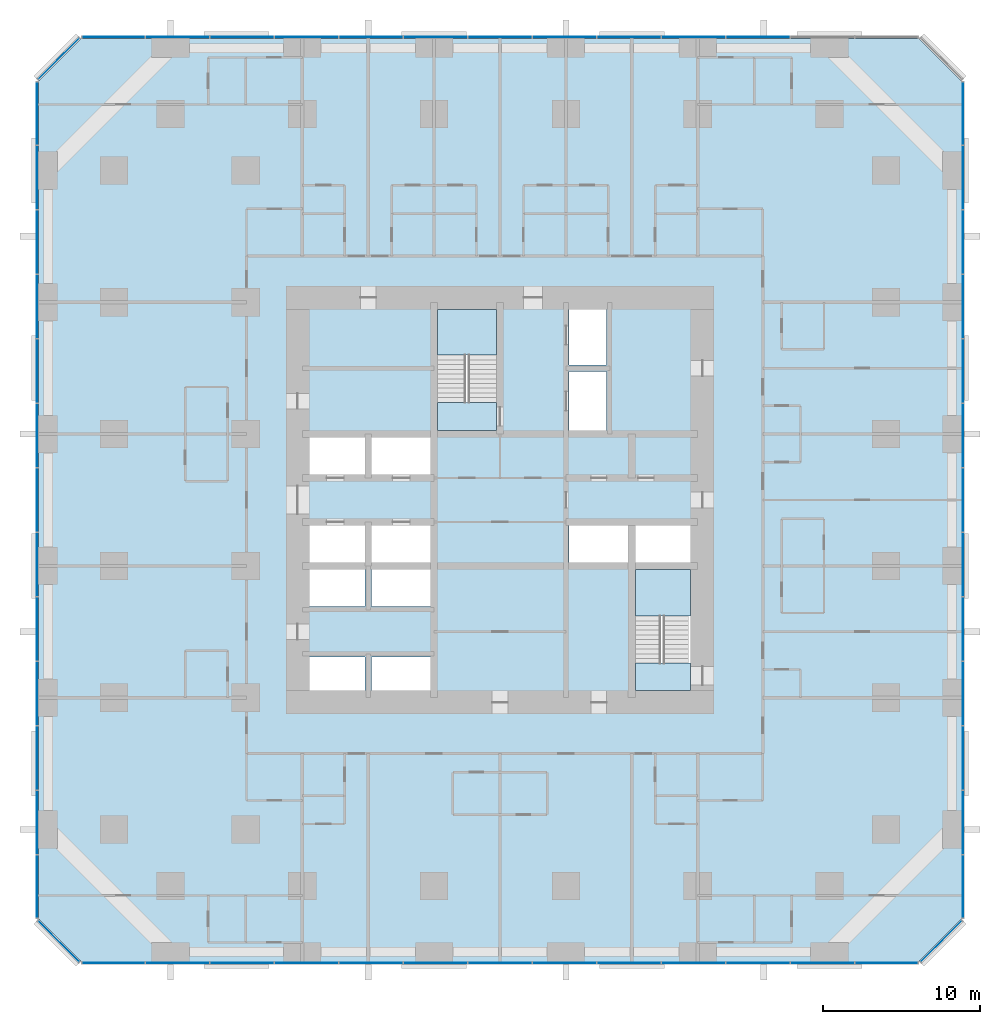
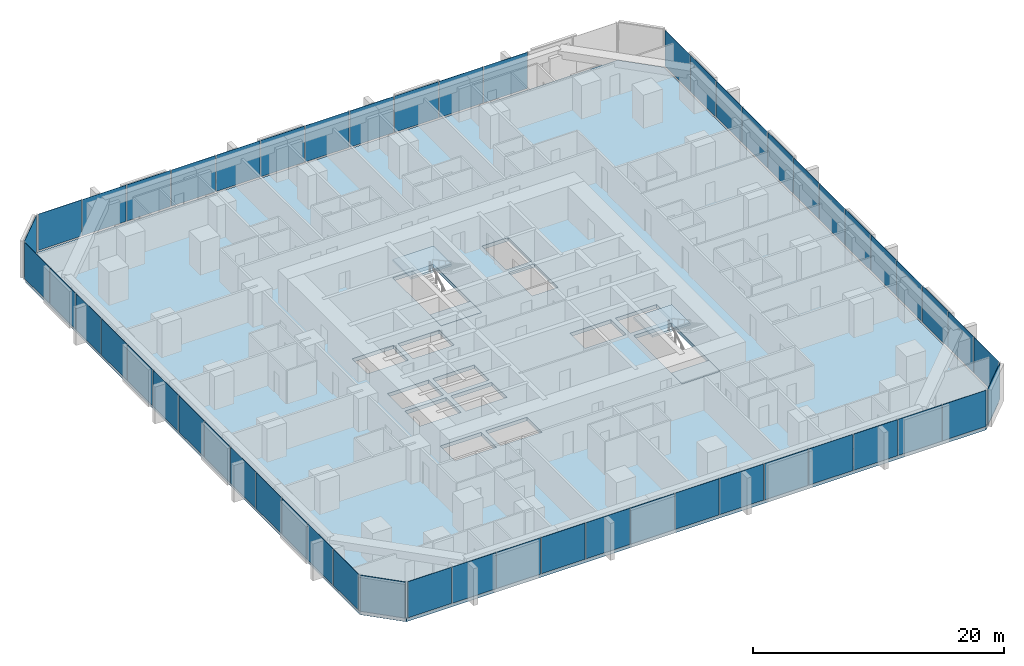
# One storey, part 9 of 17: 53 plates, 5 slabs, 9 elements without a shape of their own.
"""IFC4 building model written with IfcOpenShell, lengths in metres."""

from ifc_helpers import new_model, si_unit, direction, frame, origin, origin_2d, place, context, subcontext, project, spatial, polyline, rectangle, outline, extrude, material, layer, layer_set, type_object, element, aggregate, save


model = new_model("IFC4")

# Units and contexts
model_context = context("Model", 3, precision=1e-05, world=origin(), true_north=direction((0.0, 1.0)))
body_context = subcontext(model_context, "Body", "Model", "MODEL_VIEW")
ifc_project = project(units=[si_unit("LENGTHUNIT", "METRE"), si_unit("AREAUNIT", "SQUARE_METRE"), si_unit("VOLUMEUNIT", "CUBIC_METRE"), si_unit("PLANEANGLEUNIT", "RADIAN"), si_unit("MASSUNIT", "GRAM", prefix="KILO")], contexts=[model_context])

# Site, building, storey
site_placement = place(None, origin())
site = spatial("IfcSite", under=ifc_project, at=site_placement, CompositionType="ELEMENT")
building_placement = place(site_placement, origin())
building = spatial("IfcBuilding", under=site, at=building_placement, Name="Dunama Terrace Hotel", CompositionType="ELEMENT")
storey_placement = place(building_placement, frame((0.0, 0.0, 66.60009765625)))
storey = spatial("IfcBuildingStorey", under=building, at=storey_placement, Name="L16", CompositionType="ELEMENT", Elevation=66.60009765625)

# Curtain wall, plates
ifc_material_1 = material(Name="Aluminium curtain wall system", Category="aluminium")
curtain_wall_type = type_object("IfcCurtainWallType", Name="Unitised fritted glass wall CW-A", PredefinedType="NOTDEFINED", material=ifc_material_1)
curtain_wall_1_placement = place(storey_placement, origin())
curtain_wall_1 = element("IfcCurtainWall", 1, at=curtain_wall_1_placement, inside=storey, type_object=curtain_wall_type, Name="Unitised fritted glass wall CW-A L16", PredefinedType="NOTDEFINED")
ifc_material_2 = material(Name="Laminated glass", Category="glass")
ifc_layer_1 = layer(ifc_material_2, 0.030029296875)
ifc_layer_set_1 = layer_set([ifc_layer_1], Name="CWA clear glass panel")
plate_type_1 = type_object("IfcPlateType", Name="CWA clear glass panel", PredefinedType="CURTAIN_PANEL", material=ifc_layer_set_1)
plate_1_placement = place(storey_placement, frame((4.77001953125, -0.10009765625, 0.074951171875), z_axis=(0.0, 0.0, 1.0), x_axis=(1.0, 0.0, 0.0)))
plate_1 = element("IfcPlate", 2, at=plate_1_placement, type_object=plate_type_1, Name="CWA clear glass panel", PredefinedType="CURTAIN_PANEL", context=body_context, shape_type="SweptSolid", body=[
    extrude(rectangle(XDim=4.01025390625, YDim=0.030029296875, at=origin_2d()), origin(), (0.0, 0.0, 1.0), 3.52490234375),
])
plate_2_placement = place(storey_placement, frame((17.076904296875, -0.10009765625, 0.074951171875), z_axis=(0.0, 0.0, 1.0), x_axis=(1.0, 0.0, 0.0)))
plate_2 = element("IfcPlate", 3, at=plate_2_placement, type_object=plate_type_1, Name="CWA clear glass panel", PredefinedType="CURTAIN_PANEL", context=body_context, shape_type="SweptSolid", body=[
    extrude(rectangle(XDim=4.042724609375, YDim=0.030029296875, at=origin_2d()), origin(), (0.0, 0.0, 1.0), 3.52490234375),
])
plate_3_placement = place(storey_placement, frame((29.39990234375, -0.10009765625, 0.074951171875), z_axis=(0.0, 0.0, 1.0), x_axis=(1.0, 0.0, 0.0)))
plate_3 = element("IfcPlate", 4, at=plate_3_placement, type_object=plate_type_1, Name="CWA clear glass panel", PredefinedType="CURTAIN_PANEL", context=body_context, shape_type="SweptSolid", body=[
    extrude(rectangle(XDim=4.042724609375, YDim=0.030029296875, at=origin_2d()), origin(), (0.0, 0.0, 1.0), 3.52490234375),
])
plate_4_placement = place(storey_placement, frame((41.722900390625, -0.10009765625, 0.074951171875), z_axis=(0.0, 0.0, 1.0), x_axis=(1.0, 0.0, 0.0)))
plate_4 = element("IfcPlate", 5, at=plate_4_placement, type_object=plate_type_1, Name="CWA clear glass panel", PredefinedType="CURTAIN_PANEL", context=body_context, shape_type="SweptSolid", body=[
    extrude(rectangle(XDim=4.042724609375, YDim=0.030029296875, at=origin_2d()), origin(), (0.0, 0.0, 1.0), 3.52490234375),
])
plate_5_placement = place(storey_placement, frame((54.030029296875, -0.10009765625, 0.074951171875), z_axis=(0.0, 0.0, 1.0), x_axis=(1.0, 0.0, 0.0)))
plate_5 = element("IfcPlate", 6, at=plate_5_placement, type_object=plate_type_1, Name="CWA clear glass panel", PredefinedType="CURTAIN_PANEL", context=body_context, shape_type="SweptSolid", body=[
    extrude(rectangle(XDim=4.01025390625, YDim=0.030029296875, at=origin_2d()), origin(), (0.0, 0.0, 1.0), 3.52490234375),
])

curtain_wall_2_placement = place(storey_placement, origin())
curtain_wall_2 = element("IfcCurtainWall", 7, at=curtain_wall_2_placement, inside=storey, type_object=curtain_wall_type, Name="Unitised fritted glass wall CW-A L16", PredefinedType="NOTDEFINED")
plate_6_placement = place(storey_placement, frame((58.89990234375, 8.862060546875, 0.074951171875), z_axis=(0.0, 0.0, 1.0), x_axis=(0.0, 1.0, 0.0)))
plate_6 = element("IfcPlate", 8, at=plate_6_placement, type_object=plate_type_1, Name="CWA clear glass panel", PredefinedType="CURTAIN_PANEL", context=body_context, shape_type="SweptSolid", body=[
    extrude(rectangle(XDim=4.042724609375, YDim=0.030029296875, at=origin_2d()), origin(), (0.0, 0.0, 1.0), 3.52490234375),
])
plate_7_placement = place(storey_placement, frame((58.89990234375, 21.18505859375, 0.074951171875), z_axis=(0.0, 0.0, 1.0), x_axis=(0.0, 1.0, 0.0)))
plate_7 = element("IfcPlate", 9, at=plate_7_placement, type_object=plate_type_1, Name="CWA clear glass panel", PredefinedType="CURTAIN_PANEL", context=body_context, shape_type="SweptSolid", body=[
    extrude(rectangle(XDim=4.042724609375, YDim=0.030029296875, at=origin_2d()), origin(), (0.0, 0.0, 1.0), 3.52490234375),
])
plate_8_placement = place(storey_placement, frame((58.89990234375, 33.508056640625, 0.074951171875), z_axis=(0.0, 0.0, 1.0), x_axis=(0.0, 1.0, 0.0)))
plate_8 = element("IfcPlate", 10, at=plate_8_placement, type_object=plate_type_1, Name="CWA clear glass panel", PredefinedType="CURTAIN_PANEL", context=body_context, shape_type="SweptSolid", body=[
    extrude(rectangle(XDim=4.042724609375, YDim=0.030029296875, at=origin_2d()), origin(), (0.0, 0.0, 1.0), 3.52490234375),
])
plate_9_placement = place(storey_placement, frame((58.89990234375, 45.8310546875, 0.074951171875), z_axis=(0.0, 0.0, 1.0), x_axis=(0.0, 1.0, 0.0)))
plate_9 = element("IfcPlate", 11, at=plate_9_placement, type_object=plate_type_1, Name="CWA clear glass panel", PredefinedType="CURTAIN_PANEL", context=body_context, shape_type="SweptSolid", body=[
    extrude(rectangle(XDim=4.042724609375, YDim=0.030029296875, at=origin_2d()), origin(), (0.0, 0.0, 1.0), 3.52490234375),
])

curtain_wall_3_placement = place(storey_placement, origin())
curtain_wall_3 = element("IfcCurtainWall", 12, at=curtain_wall_3_placement, inside=storey, type_object=curtain_wall_type, Name="Unitised fritted glass wall CW-A L16", PredefinedType="NOTDEFINED")
plate_10_placement = place(storey_placement, frame((45.8310546875, 58.89990234375, 0.074951171875), z_axis=(0.0, 0.0, 1.0), x_axis=(-1.0, 0.0, 0.0)))
plate_10 = element("IfcPlate", 13, at=plate_10_placement, type_object=plate_type_1, Name="CWA clear glass panel", PredefinedType="CURTAIN_PANEL", context=body_context, shape_type="SweptSolid", body=[
    extrude(rectangle(XDim=4.042724609375, YDim=0.030029296875, at=origin_2d()), origin(), (0.0, 0.0, 1.0), 3.52490234375),
])
plate_11_placement = place(storey_placement, frame((33.508056640625, 58.89990234375, 0.074951171875), z_axis=(0.0, 0.0, 1.0), x_axis=(-1.0, 0.0, 0.0)))
plate_11 = element("IfcPlate", 14, at=plate_11_placement, type_object=plate_type_1, Name="CWA clear glass panel", PredefinedType="CURTAIN_PANEL", context=body_context, shape_type="SweptSolid", body=[
    extrude(rectangle(XDim=4.042724609375, YDim=0.030029296875, at=origin_2d()), origin(), (0.0, 0.0, 1.0), 3.52490234375),
])
plate_12_placement = place(storey_placement, frame((21.18505859375, 58.89990234375, 0.074951171875), z_axis=(0.0, 0.0, 1.0), x_axis=(-1.0, 0.0, 0.0)))
plate_12 = element("IfcPlate", 15, at=plate_12_placement, type_object=plate_type_1, Name="CWA clear glass panel", PredefinedType="CURTAIN_PANEL", context=body_context, shape_type="SweptSolid", body=[
    extrude(rectangle(XDim=4.042724609375, YDim=0.030029296875, at=origin_2d()), origin(), (0.0, 0.0, 1.0), 3.52490234375),
])
plate_13_placement = place(storey_placement, frame((8.862060546875, 58.89990234375, 0.074951171875), z_axis=(0.0, 0.0, 1.0), x_axis=(-1.0, 0.0, 0.0)))
plate_13 = element("IfcPlate", 16, at=plate_13_placement, type_object=plate_type_1, Name="CWA clear glass panel", PredefinedType="CURTAIN_PANEL", context=body_context, shape_type="SweptSolid", body=[
    extrude(rectangle(XDim=4.042724609375, YDim=0.030029296875, at=origin_2d()), origin(), (0.0, 0.0, 1.0), 3.52490234375),
])

curtain_wall_4_placement = place(storey_placement, origin())
curtain_wall_4 = element("IfcCurtainWall", 17, at=curtain_wall_4_placement, inside=storey, type_object=curtain_wall_type, Name="Unitised fritted glass wall CW-A L16", PredefinedType="NOTDEFINED")
plate_14_placement = place(storey_placement, frame((-0.10009765625, 54.030029296875, 0.074951171875), z_axis=(0.0, 0.0, 1.0), x_axis=(0.0, -1.0, 0.0)))
plate_14 = element("IfcPlate", 18, at=plate_14_placement, type_object=plate_type_1, Name="CWA clear glass panel", PredefinedType="CURTAIN_PANEL", context=body_context, shape_type="SweptSolid", body=[
    extrude(rectangle(XDim=4.01025390625, YDim=0.030029296875, at=origin_2d()), origin(), (0.0, 0.0, 1.0), 3.52490234375),
])
plate_15_placement = place(storey_placement, frame((-0.10009765625, 41.722900390625, 0.074951171875), z_axis=(0.0, 0.0, 1.0), x_axis=(0.0, -1.0, 0.0)))
plate_15 = element("IfcPlate", 19, at=plate_15_placement, type_object=plate_type_1, Name="CWA clear glass panel", PredefinedType="CURTAIN_PANEL", context=body_context, shape_type="SweptSolid", body=[
    extrude(rectangle(XDim=4.042724609375, YDim=0.030029296875, at=origin_2d()), origin(), (0.0, 0.0, 1.0), 3.52490234375),
])
plate_16_placement = place(storey_placement, frame((-0.10009765625, 29.39990234375, 0.074951171875), z_axis=(0.0, 0.0, 1.0), x_axis=(0.0, -1.0, 0.0)))
plate_16 = element("IfcPlate", 20, at=plate_16_placement, type_object=plate_type_1, Name="CWA clear glass panel", PredefinedType="CURTAIN_PANEL", context=body_context, shape_type="SweptSolid", body=[
    extrude(rectangle(XDim=4.042724609375, YDim=0.030029296875, at=origin_2d()), origin(), (0.0, 0.0, 1.0), 3.52490234375),
])
plate_17_placement = place(storey_placement, frame((-0.10009765625, 17.076904296875, 0.074951171875), z_axis=(0.0, 0.0, 1.0), x_axis=(0.0, -1.0, 0.0)))
plate_17 = element("IfcPlate", 21, at=plate_17_placement, type_object=plate_type_1, Name="CWA clear glass panel", PredefinedType="CURTAIN_PANEL", context=body_context, shape_type="SweptSolid", body=[
    extrude(rectangle(XDim=4.042724609375, YDim=0.030029296875, at=origin_2d()), origin(), (0.0, 0.0, 1.0), 3.52490234375),
])
plate_18_placement = place(storey_placement, frame((-0.10009765625, 4.77001953125, 0.074951171875), z_axis=(0.0, 0.0, 1.0), x_axis=(0.0, -1.0, 0.0)))
plate_18 = element("IfcPlate", 22, at=plate_18_placement, type_object=plate_type_1, Name="CWA clear glass panel", PredefinedType="CURTAIN_PANEL", context=body_context, shape_type="SweptSolid", body=[
    extrude(rectangle(XDim=4.01025390625, YDim=0.030029296875, at=origin_2d()), origin(), (0.0, 0.0, 1.0), 3.52490234375),
])

# Plate
ifc_material_3 = material(Name="Fritted laminated glass", Category="glass")
ifc_layer_2 = layer(ifc_material_3, 0.030029296875)
ifc_layer_set_2 = layer_set([ifc_layer_2], Name="CWA fritted glass panel")
plate_type_2 = type_object("IfcPlateType", Name="CWA fritted glass panel", PredefinedType="CURTAIN_PANEL", material=ifc_layer_set_2)
plate_19_placement = place(storey_placement, frame((12.968994140625, -0.10009765625, 0.074951171875), z_axis=(0.0, 0.0, 1.0), x_axis=(1.0, 0.0, 0.0)))
plate_19 = element("IfcPlate", 23, at=plate_19_placement, type_object=plate_type_2, Name="CWA fritted glass panel", PredefinedType="CURTAIN_PANEL", context=body_context, shape_type="SweptSolid", body=[
    extrude(rectangle(XDim=4.042724609375, YDim=0.030029296875, at=origin_2d()), origin(), (0.0, 0.0, 1.0), 3.52490234375),
])

plate_20_placement = place(storey_placement, frame((25.2919921875, -0.10009765625, 0.074951171875), z_axis=(0.0, 0.0, 1.0), x_axis=(1.0, 0.0, 0.0)))
plate_20 = element("IfcPlate", 24, at=plate_20_placement, type_object=plate_type_2, Name="CWA fritted glass panel", PredefinedType="CURTAIN_PANEL", context=body_context, shape_type="SweptSolid", body=[
    extrude(rectangle(XDim=4.042724609375, YDim=0.030029296875, at=origin_2d()), origin(), (0.0, 0.0, 1.0), 3.52490234375),
])

plate_21_placement = place(storey_placement, frame((37.614990234375, -0.10009765625, 0.074951171875), z_axis=(0.0, 0.0, 1.0), x_axis=(1.0, 0.0, 0.0)))
plate_21 = element("IfcPlate", 25, at=plate_21_placement, type_object=plate_type_2, Name="CWA fritted glass panel", PredefinedType="CURTAIN_PANEL", context=body_context, shape_type="SweptSolid", body=[
    extrude(rectangle(XDim=4.042724609375, YDim=0.030029296875, at=origin_2d()), origin(), (0.0, 0.0, 1.0), 3.52490234375),
])

plate_22_placement = place(storey_placement, frame((49.93798828125, -0.10009765625, 0.074951171875), z_axis=(0.0, 0.0, 1.0), x_axis=(1.0, 0.0, 0.0)))
plate_22 = element("IfcPlate", 26, at=plate_22_placement, type_object=plate_type_2, Name="CWA fritted glass panel", PredefinedType="CURTAIN_PANEL", context=body_context, shape_type="SweptSolid", body=[
    extrude(rectangle(XDim=4.042724609375, YDim=0.030029296875, at=origin_2d()), origin(), (0.0, 0.0, 1.0), 3.52490234375),
])

plate_23_placement = place(storey_placement, frame((58.89990234375, 4.77001953125, 0.074951171875), z_axis=(0.0, 0.0, 1.0), x_axis=(0.0, 1.0, 0.0)))
plate_23 = element("IfcPlate", 27, at=plate_23_placement, type_object=plate_type_2, Name="CWA fritted glass panel", PredefinedType="CURTAIN_PANEL", context=body_context, shape_type="SweptSolid", body=[
    extrude(rectangle(XDim=4.01025390625, YDim=0.030029296875, at=origin_2d()), origin(), (0.0, 0.0, 1.0), 3.52490234375),
])

plate_24_placement = place(storey_placement, frame((58.89990234375, 17.076904296875, 0.074951171875), z_axis=(0.0, 0.0, 1.0), x_axis=(0.0, 1.0, 0.0)))
plate_24 = element("IfcPlate", 28, at=plate_24_placement, type_object=plate_type_2, Name="CWA fritted glass panel", PredefinedType="CURTAIN_PANEL", context=body_context, shape_type="SweptSolid", body=[
    extrude(rectangle(XDim=4.042724609375, YDim=0.030029296875, at=origin_2d()), origin(), (0.0, 0.0, 1.0), 3.52490234375),
])

plate_25_placement = place(storey_placement, frame((58.89990234375, 29.39990234375, 0.074951171875), z_axis=(0.0, 0.0, 1.0), x_axis=(0.0, 1.0, 0.0)))
plate_25 = element("IfcPlate", 29, at=plate_25_placement, type_object=plate_type_2, Name="CWA fritted glass panel", PredefinedType="CURTAIN_PANEL", context=body_context, shape_type="SweptSolid", body=[
    extrude(rectangle(XDim=4.042724609375, YDim=0.030029296875, at=origin_2d()), origin(), (0.0, 0.0, 1.0), 3.52490234375),
])

plate_26_placement = place(storey_placement, frame((58.89990234375, 41.722900390625, 0.074951171875), z_axis=(0.0, 0.0, 1.0), x_axis=(0.0, 1.0, 0.0)))
plate_26 = element("IfcPlate", 30, at=plate_26_placement, type_object=plate_type_2, Name="CWA fritted glass panel", PredefinedType="CURTAIN_PANEL", context=body_context, shape_type="SweptSolid", body=[
    extrude(rectangle(XDim=4.042724609375, YDim=0.030029296875, at=origin_2d()), origin(), (0.0, 0.0, 1.0), 3.52490234375),
])

plate_27_placement = place(storey_placement, frame((58.89990234375, 54.030029296875, 0.074951171875), z_axis=(0.0, 0.0, 1.0), x_axis=(0.0, 1.0, 0.0)))
plate_27 = element("IfcPlate", 31, at=plate_27_placement, type_object=plate_type_2, Name="CWA fritted glass panel", PredefinedType="CURTAIN_PANEL", context=body_context, shape_type="SweptSolid", body=[
    extrude(rectangle(XDim=4.01025390625, YDim=0.030029296875, at=origin_2d()), origin(), (0.0, 0.0, 1.0), 3.52490234375),
])

plate_28_placement = place(storey_placement, frame((37.614990234375, 58.89990234375, 0.074951171875), z_axis=(0.0, 0.0, 1.0), x_axis=(-1.0, 0.0, 0.0)))
plate_28 = element("IfcPlate", 32, at=plate_28_placement, type_object=plate_type_2, Name="CWA fritted glass panel", PredefinedType="CURTAIN_PANEL", context=body_context, shape_type="SweptSolid", body=[
    extrude(rectangle(XDim=4.042724609375, YDim=0.030029296875, at=origin_2d()), origin(), (0.0, 0.0, 1.0), 3.52490234375),
])

plate_29_placement = place(storey_placement, frame((25.2919921875, 58.89990234375, 0.074951171875), z_axis=(0.0, 0.0, 1.0), x_axis=(-1.0, 0.0, 0.0)))
plate_29 = element("IfcPlate", 33, at=plate_29_placement, type_object=plate_type_2, Name="CWA fritted glass panel", PredefinedType="CURTAIN_PANEL", context=body_context, shape_type="SweptSolid", body=[
    extrude(rectangle(XDim=4.042724609375, YDim=0.030029296875, at=origin_2d()), origin(), (0.0, 0.0, 1.0), 3.52490234375),
])

plate_30_placement = place(storey_placement, frame((12.968994140625, 58.89990234375, 0.074951171875), z_axis=(0.0, 0.0, 1.0), x_axis=(-1.0, 0.0, 0.0)))
plate_30 = element("IfcPlate", 34, at=plate_30_placement, type_object=plate_type_2, Name="CWA fritted glass panel", PredefinedType="CURTAIN_PANEL", context=body_context, shape_type="SweptSolid", body=[
    extrude(rectangle(XDim=4.042724609375, YDim=0.030029296875, at=origin_2d()), origin(), (0.0, 0.0, 1.0), 3.52490234375),
])

# Curtain wall, plate
curtain_wall_5_placement = place(storey_placement, origin())
curtain_wall_5 = element("IfcCurtainWall", 35, at=curtain_wall_5_placement, inside=storey, type_object=curtain_wall_type, Name="Unitised fritted glass wall CW-A L16", PredefinedType="NOTDEFINED")
plate_31_placement = place(storey_placement, frame((1.279052734375, 57.52099609375, 0.074951171875), z_axis=(0.0, 0.0, 1.0), x_axis=(-0.707106781187, -0.707106781187, 0.0)))
plate_31 = element("IfcPlate", 36, at=plate_31_placement, type_object=plate_type_2, Name="CWA fritted glass panel", PredefinedType="CURTAIN_PANEL", context=body_context, shape_type="SweptSolid", body=[
    extrude(rectangle(XDim=3.6884765625, YDim=0.030029296875, at=origin_2d()), origin(), (0.0, 0.0, 1.0), 3.52490234375),
])
aggregate(curtain_wall_5, [plate_31])

# Plate
plate_32_placement = place(storey_placement, frame((-0.10009765625, 45.8310546875, 0.074951171875), z_axis=(0.0, 0.0, 1.0), x_axis=(0.0, -1.0, 0.0)))
plate_32 = element("IfcPlate", 37, at=plate_32_placement, type_object=plate_type_2, Name="CWA fritted glass panel", PredefinedType="CURTAIN_PANEL", context=body_context, shape_type="SweptSolid", body=[
    extrude(rectangle(XDim=4.042724609375, YDim=0.030029296875, at=origin_2d()), origin(), (0.0, 0.0, 1.0), 3.52490234375),
])

plate_33_placement = place(storey_placement, frame((-0.10009765625, 33.508056640625, 0.074951171875), z_axis=(0.0, 0.0, 1.0), x_axis=(0.0, -1.0, 0.0)))
plate_33 = element("IfcPlate", 38, at=plate_33_placement, type_object=plate_type_2, Name="CWA fritted glass panel", PredefinedType="CURTAIN_PANEL", context=body_context, shape_type="SweptSolid", body=[
    extrude(rectangle(XDim=4.042724609375, YDim=0.030029296875, at=origin_2d()), origin(), (0.0, 0.0, 1.0), 3.52490234375),
])

plate_34_placement = place(storey_placement, frame((-0.10009765625, 21.18505859375, 0.074951171875), z_axis=(0.0, 0.0, 1.0), x_axis=(0.0, -1.0, 0.0)))
plate_34 = element("IfcPlate", 39, at=plate_34_placement, type_object=plate_type_2, Name="CWA fritted glass panel", PredefinedType="CURTAIN_PANEL", context=body_context, shape_type="SweptSolid", body=[
    extrude(rectangle(XDim=4.042724609375, YDim=0.030029296875, at=origin_2d()), origin(), (0.0, 0.0, 1.0), 3.52490234375),
])

plate_35_placement = place(storey_placement, frame((-0.10009765625, 8.862060546875, 0.074951171875), z_axis=(0.0, 0.0, 1.0), x_axis=(0.0, -1.0, 0.0)))
plate_35 = element("IfcPlate", 40, at=plate_35_placement, type_object=plate_type_2, Name="CWA fritted glass panel", PredefinedType="CURTAIN_PANEL", context=body_context, shape_type="SweptSolid", body=[
    extrude(rectangle(XDim=4.042724609375, YDim=0.030029296875, at=origin_2d()), origin(), (0.0, 0.0, 1.0), 3.52490234375),
])

ifc_material_4 = material(Name="Laminated glass", Category="glass")
ifc_layer_3 = layer(ifc_material_4, 0.030029296875)
ifc_layer_set_3 = layer_set([ifc_layer_3], Name="CWA operable glass panel")
plate_type_3 = type_object("IfcPlateType", Name="CWA operable glass panel", PredefinedType="CURTAIN_PANEL", material=ifc_layer_set_3)
plate_36_placement = place(storey_placement, frame((8.862060546875, -0.10009765625, 0.074951171875), z_axis=(0.0, 0.0, 1.0), x_axis=(1.0, 0.0, 0.0)))
plate_36 = element("IfcPlate", 41, at=plate_36_placement, type_object=plate_type_3, Name="CWA operable glass panel", PredefinedType="CURTAIN_PANEL", context=body_context, shape_type="SweptSolid", body=[
    extrude(rectangle(XDim=4.042724609375, YDim=0.030029296875, at=origin_2d()), origin(), (0.0, 0.0, 1.0), 3.52490234375),
])

plate_37_placement = place(storey_placement, frame((21.18505859375, -0.10009765625, 0.074951171875), z_axis=(0.0, 0.0, 1.0), x_axis=(1.0, 0.0, 0.0)))
plate_37 = element("IfcPlate", 42, at=plate_37_placement, type_object=plate_type_3, Name="CWA operable glass panel", PredefinedType="CURTAIN_PANEL", context=body_context, shape_type="SweptSolid", body=[
    extrude(rectangle(XDim=4.042724609375, YDim=0.030029296875, at=origin_2d()), origin(), (0.0, 0.0, 1.0), 3.52490234375),
])

plate_38_placement = place(storey_placement, frame((33.508056640625, -0.10009765625, 0.074951171875), z_axis=(0.0, 0.0, 1.0), x_axis=(1.0, 0.0, 0.0)))
plate_38 = element("IfcPlate", 43, at=plate_38_placement, type_object=plate_type_3, Name="CWA operable glass panel", PredefinedType="CURTAIN_PANEL", context=body_context, shape_type="SweptSolid", body=[
    extrude(rectangle(XDim=4.042724609375, YDim=0.030029296875, at=origin_2d()), origin(), (0.0, 0.0, 1.0), 3.52490234375),
])

plate_39_placement = place(storey_placement, frame((45.8310546875, -0.10009765625, 0.074951171875), z_axis=(0.0, 0.0, 1.0), x_axis=(1.0, 0.0, 0.0)))
plate_39 = element("IfcPlate", 44, at=plate_39_placement, type_object=plate_type_3, Name="CWA operable glass panel", PredefinedType="CURTAIN_PANEL", context=body_context, shape_type="SweptSolid", body=[
    extrude(rectangle(XDim=4.042724609375, YDim=0.030029296875, at=origin_2d()), origin(), (0.0, 0.0, 1.0), 3.52490234375),
])

aggregate(curtain_wall_1, [plate_1, plate_36, plate_19, plate_2, plate_37, plate_20, plate_3, plate_38, plate_21, plate_4, plate_39, plate_22, plate_5])

# Curtain wall, plate
curtain_wall_6_placement = place(storey_placement, origin())
curtain_wall_6 = element("IfcCurtainWall", 45, at=curtain_wall_6_placement, inside=storey, type_object=curtain_wall_type, Name="Unitised fritted glass wall CW-A L16", PredefinedType="NOTDEFINED")
plate_40_placement = place(storey_placement, frame((57.52099609375, 1.279052734375, 0.074951171875), z_axis=(0.0, 0.0, 1.0), x_axis=(0.707106781187, 0.707106781187, 0.0)))
plate_40 = element("IfcPlate", 46, at=plate_40_placement, type_object=plate_type_3, Name="CWA operable glass panel", PredefinedType="CURTAIN_PANEL", context=body_context, shape_type="SweptSolid", body=[
    extrude(rectangle(XDim=3.6884765625, YDim=0.030029296875, at=origin_2d()), origin(), (0.0, 0.0, 1.0), 3.52490234375),
])
aggregate(curtain_wall_6, [plate_40])

# Plate
plate_41_placement = place(storey_placement, frame((58.89990234375, 12.968994140625, 0.074951171875), z_axis=(0.0, 0.0, 1.0), x_axis=(0.0, 1.0, 0.0)))
plate_41 = element("IfcPlate", 47, at=plate_41_placement, type_object=plate_type_3, Name="CWA operable glass panel", PredefinedType="CURTAIN_PANEL", context=body_context, shape_type="SweptSolid", body=[
    extrude(rectangle(XDim=4.042724609375, YDim=0.030029296875, at=origin_2d()), origin(), (0.0, 0.0, 1.0), 3.52490234375),
])

plate_42_placement = place(storey_placement, frame((58.89990234375, 25.2919921875, 0.074951171875), z_axis=(0.0, 0.0, 1.0), x_axis=(0.0, 1.0, 0.0)))
plate_42 = element("IfcPlate", 48, at=plate_42_placement, type_object=plate_type_3, Name="CWA operable glass panel", PredefinedType="CURTAIN_PANEL", context=body_context, shape_type="SweptSolid", body=[
    extrude(rectangle(XDim=4.042724609375, YDim=0.030029296875, at=origin_2d()), origin(), (0.0, 0.0, 1.0), 3.52490234375),
])

plate_43_placement = place(storey_placement, frame((58.89990234375, 37.614990234375, 0.074951171875), z_axis=(0.0, 0.0, 1.0), x_axis=(0.0, 1.0, 0.0)))
plate_43 = element("IfcPlate", 49, at=plate_43_placement, type_object=plate_type_3, Name="CWA operable glass panel", PredefinedType="CURTAIN_PANEL", context=body_context, shape_type="SweptSolid", body=[
    extrude(rectangle(XDim=4.042724609375, YDim=0.030029296875, at=origin_2d()), origin(), (0.0, 0.0, 1.0), 3.52490234375),
])

plate_44_placement = place(storey_placement, frame((58.89990234375, 49.93798828125, 0.074951171875), z_axis=(0.0, 0.0, 1.0), x_axis=(0.0, 1.0, 0.0)))
plate_44 = element("IfcPlate", 50, at=plate_44_placement, type_object=plate_type_3, Name="CWA operable glass panel", PredefinedType="CURTAIN_PANEL", context=body_context, shape_type="SweptSolid", body=[
    extrude(rectangle(XDim=4.042724609375, YDim=0.030029296875, at=origin_2d()), origin(), (0.0, 0.0, 1.0), 3.52490234375),
])

aggregate(curtain_wall_2, [plate_23, plate_6, plate_41, plate_24, plate_7, plate_42, plate_25, plate_8, plate_43, plate_26, plate_9, plate_44, plate_27])

plate_45_placement = place(storey_placement, frame((41.722900390625, 58.89990234375, 0.074951171875), z_axis=(0.0, 0.0, 1.0), x_axis=(-1.0, 0.0, 0.0)))
plate_45 = element("IfcPlate", 51, at=plate_45_placement, type_object=plate_type_3, Name="CWA operable glass panel", PredefinedType="CURTAIN_PANEL", context=body_context, shape_type="SweptSolid", body=[
    extrude(rectangle(XDim=4.042724609375, YDim=0.030029296875, at=origin_2d()), origin(), (0.0, 0.0, 1.0), 3.52490234375),
])

plate_46_placement = place(storey_placement, frame((29.39990234375, 58.89990234375, 0.074951171875), z_axis=(0.0, 0.0, 1.0), x_axis=(-1.0, 0.0, 0.0)))
plate_46 = element("IfcPlate", 52, at=plate_46_placement, type_object=plate_type_3, Name="CWA operable glass panel", PredefinedType="CURTAIN_PANEL", context=body_context, shape_type="SweptSolid", body=[
    extrude(rectangle(XDim=4.042724609375, YDim=0.030029296875, at=origin_2d()), origin(), (0.0, 0.0, 1.0), 3.52490234375),
])

plate_47_placement = place(storey_placement, frame((17.076904296875, 58.89990234375, 0.074951171875), z_axis=(0.0, 0.0, 1.0), x_axis=(-1.0, 0.0, 0.0)))
plate_47 = element("IfcPlate", 53, at=plate_47_placement, type_object=plate_type_3, Name="CWA operable glass panel", PredefinedType="CURTAIN_PANEL", context=body_context, shape_type="SweptSolid", body=[
    extrude(rectangle(XDim=4.042724609375, YDim=0.030029296875, at=origin_2d()), origin(), (0.0, 0.0, 1.0), 3.52490234375),
])

plate_48_placement = place(storey_placement, frame((4.77001953125, 58.89990234375, 0.074951171875), z_axis=(0.0, 0.0, 1.0), x_axis=(-1.0, 0.0, 0.0)))
plate_48 = element("IfcPlate", 54, at=plate_48_placement, type_object=plate_type_3, Name="CWA operable glass panel", PredefinedType="CURTAIN_PANEL", context=body_context, shape_type="SweptSolid", body=[
    extrude(rectangle(XDim=4.01025390625, YDim=0.030029296875, at=origin_2d()), origin(), (0.0, 0.0, 1.0), 3.52490234375),
])

aggregate(curtain_wall_3, [plate_10, plate_45, plate_28, plate_11, plate_46, plate_29, plate_12, plate_47, plate_30, plate_13, plate_48])

plate_49_placement = place(storey_placement, frame((-0.10009765625, 49.93798828125, 0.074951171875), z_axis=(0.0, 0.0, 1.0), x_axis=(0.0, -1.0, 0.0)))
plate_49 = element("IfcPlate", 55, at=plate_49_placement, type_object=plate_type_3, Name="CWA operable glass panel", PredefinedType="CURTAIN_PANEL", context=body_context, shape_type="SweptSolid", body=[
    extrude(rectangle(XDim=4.042724609375, YDim=0.030029296875, at=origin_2d()), origin(), (0.0, 0.0, 1.0), 3.52490234375),
])

plate_50_placement = place(storey_placement, frame((-0.10009765625, 37.614990234375, 0.074951171875), z_axis=(0.0, 0.0, 1.0), x_axis=(0.0, -1.0, 0.0)))
plate_50 = element("IfcPlate", 56, at=plate_50_placement, type_object=plate_type_3, Name="CWA operable glass panel", PredefinedType="CURTAIN_PANEL", context=body_context, shape_type="SweptSolid", body=[
    extrude(rectangle(XDim=4.042724609375, YDim=0.030029296875, at=origin_2d()), origin(), (0.0, 0.0, 1.0), 3.52490234375),
])

plate_51_placement = place(storey_placement, frame((-0.10009765625, 25.2919921875, 0.074951171875), z_axis=(0.0, 0.0, 1.0), x_axis=(0.0, -1.0, 0.0)))
plate_51 = element("IfcPlate", 57, at=plate_51_placement, type_object=plate_type_3, Name="CWA operable glass panel", PredefinedType="CURTAIN_PANEL", context=body_context, shape_type="SweptSolid", body=[
    extrude(rectangle(XDim=4.042724609375, YDim=0.030029296875, at=origin_2d()), origin(), (0.0, 0.0, 1.0), 3.52490234375),
])

plate_52_placement = place(storey_placement, frame((-0.10009765625, 12.968994140625, 0.074951171875), z_axis=(0.0, 0.0, 1.0), x_axis=(0.0, -1.0, 0.0)))
plate_52 = element("IfcPlate", 58, at=plate_52_placement, type_object=plate_type_3, Name="CWA operable glass panel", PredefinedType="CURTAIN_PANEL", context=body_context, shape_type="SweptSolid", body=[
    extrude(rectangle(XDim=4.042724609375, YDim=0.030029296875, at=origin_2d()), origin(), (0.0, 0.0, 1.0), 3.52490234375),
])

aggregate(curtain_wall_4, [plate_14, plate_49, plate_32, plate_15, plate_50, plate_33, plate_16, plate_51, plate_34, plate_17, plate_52, plate_35, plate_18])

# Curtain wall, plate
curtain_wall_7_placement = place(storey_placement, origin())
curtain_wall_7 = element("IfcCurtainWall", 59, at=curtain_wall_7_placement, inside=storey, type_object=curtain_wall_type, Name="Unitised fritted glass wall CW-A L16", PredefinedType="NOTDEFINED")
plate_53_placement = place(storey_placement, frame((1.279052734375, 1.279052734375, 0.074951171875), z_axis=(0.0, 0.0, 1.0), x_axis=(0.707106781187, -0.707106781187, 0.0)))
plate_53 = element("IfcPlate", 60, at=plate_53_placement, type_object=plate_type_3, Name="CWA operable glass panel", PredefinedType="CURTAIN_PANEL", context=body_context, shape_type="SweptSolid", body=[
    extrude(rectangle(XDim=3.6884765625, YDim=0.030029296875, at=origin_2d()), origin(), (0.0, 0.0, 1.0), 3.52490234375),
])
aggregate(curtain_wall_7, [plate_53])

# Slab
ifc_material_5 = material(Name="Concrete C40/50", Category="concrete")
ifc_layer_4 = layer(ifc_material_5, 0.35009765625)
ifc_layer_set_4 = layer_set([ifc_layer_4], Name="Flat plate 350")
slab_type_1 = type_object("IfcSlabType", Name="Flat plate 350", PredefinedType="FLOOR", material=ifc_layer_set_4)
slab_1_placement = place(storey_placement, frame((0.0, 0.0, -0.35009765625)))
element("IfcSlab", 61, at=slab_1_placement, inside=storey, type_object=slab_type_1, Name="Floor slab L16", PredefinedType="FLOOR", context=body_context, shape_type="SweptSolid", body=[
    extrude(outline(polyline([(2.699951171875, 0.0), (56.10009765625, 0.0), (58.800048828125, 2.699951171875), (58.800048828125, 56.10009765625), (56.10009765625, 58.800048828125), (2.699951171875, 58.800048828125), (0.0, 56.10009765625), (0.0, 2.699951171875), (2.699951171875, 0.0)]), holes=[polyline([(20.800048828125, 25.39990234375), (20.800048828125, 27.800048828125), (17.0, 27.800048828125), (17.0, 25.39990234375), (20.800048828125, 25.39990234375)]), polyline([(25.0, 25.39990234375), (25.0, 27.800048828125), (21.199951171875, 27.800048828125), (21.199951171875, 25.39990234375), (25.0, 25.39990234375)]), polyline([(20.800048828125, 31.0), (20.800048828125, 33.39990234375), (17.0, 33.39990234375), (17.0, 31.0), (20.800048828125, 31.0)]), polyline([(25.0, 31.0), (25.0, 33.39990234375), (21.199951171875, 33.39990234375), (21.199951171875, 31.0), (25.0, 31.0)]), polyline([(37.60009765625, 25.39990234375), (37.60009765625, 27.800048828125), (33.800048828125, 27.800048828125), (33.800048828125, 25.39990234375), (37.60009765625, 25.39990234375)]), polyline([(41.800048828125, 25.39990234375), (41.800048828125, 27.800048828125), (38.0, 27.800048828125), (38.0, 25.39990234375), (41.800048828125, 25.39990234375)]), polyline([(20.800048828125, 17.0), (20.800048828125, 19.39990234375), (17.0, 19.39990234375), (17.0, 17.0), (20.800048828125, 17.0)]), polyline([(25.0, 17.0), (25.0, 19.39990234375), (21.199951171875, 19.39990234375), (21.199951171875, 17.0), (25.0, 17.0)]), polyline([(20.800048828125, 22.60009765625), (20.800048828125, 25.0), (17.0, 25.0), (17.0, 22.60009765625), (20.800048828125, 22.60009765625)]), polyline([(25.0, 22.60009765625), (25.0, 25.0), (21.199951171875, 25.0), (21.199951171875, 22.60009765625), (25.0, 22.60009765625)]), polyline([(36.199951171875, 38.0), (36.199951171875, 41.800048828125), (33.800048828125, 41.800048828125), (33.800048828125, 38.0), (36.199951171875, 38.0)]), polyline([(36.199951171875, 33.800048828125), (36.199951171875, 37.60009765625), (33.800048828125, 37.60009765625), (33.800048828125, 33.800048828125), (36.199951171875, 33.800048828125)]), polyline([(29.175048828125, 33.824951171875), (29.175048828125, 41.550048828125), (25.425048828125, 41.550048828125), (25.425048828125, 33.824951171875), (29.175048828125, 33.824951171875)]), polyline([(41.550048828125, 17.25), (41.550048828125, 24.97509765625), (38.050048828125, 24.97509765625), (38.050048828125, 17.25), (41.550048828125, 17.25)])]), origin(), (0.0, 0.0, 1.0), 0.35009765625),
])

# Stair, slabs
ifc_material_6 = material(Name="Concrete C40/50", Category="concrete")
stair_type_1 = type_object("IfcStairType", Name="Stair ST1-3600-1800", PredefinedType="HALF_TURN_STAIR", material=ifc_material_6)
stair_1_placement = place(storey_placement, origin())
stair_1 = element("IfcStair", 62, at=stair_1_placement, inside=storey, type_object=stair_type_1, Name="Stair ST1 L16", PredefinedType="HALF_TURN_STAIR")
ifc_material_7 = material(Name="Concrete C40/50", Category="concrete")
ifc_layer_5 = layer(ifc_material_7, 0.199951171875)
ifc_layer_set_5 = layer_set([ifc_layer_5], Name="Stair landing 200")
slab_type_2 = type_object("IfcSlabType", Name="Stair landing 200", PredefinedType="LANDING", material=ifc_layer_set_5)
slab_2_placement = place(storey_placement, frame((0.0, 0.0, -0.2001953125)))
slab_2 = element("IfcSlab", 63, at=slab_2_placement, type_object=slab_type_2, Name="ST1 landing 1, type S10", PredefinedType="LANDING", context=body_context, shape_type="SweptSolid", body=[
    extrude(outline(polyline([(25.425048828125, 33.824951171875), (29.175048828125, 33.824951171875), (29.175048828125, 35.625), (25.425048828125, 35.625), (25.425048828125, 33.824951171875)])), origin(), (0.0, 0.0, 1.0), 0.2001953125),
])
slab_3_placement = place(storey_placement, frame((0.0, 0.0, 1.599853515625)))
slab_3 = element("IfcSlab", 64, at=slab_3_placement, type_object=slab_type_2, Name="ST1 landing 2, type S10", PredefinedType="LANDING", context=body_context, shape_type="SweptSolid", body=[
    extrude(outline(polyline([(25.425048828125, 38.625), (29.175048828125, 38.625), (29.175048828125, 41.550048828125), (25.425048828125, 41.550048828125), (25.425048828125, 38.625)])), origin(), (0.0, 0.0, 1.0), 0.199951171875),
])
aggregate(stair_1, [slab_2, slab_3])

ifc_material_8 = material(Name="Concrete C40/50", Category="concrete")
stair_type_2 = type_object("IfcStairType", Name="Stair ST2-3600-1600", PredefinedType="HALF_TURN_STAIR", material=ifc_material_8)
stair_2_placement = place(storey_placement, origin())
stair_2 = element("IfcStair", 65, at=stair_2_placement, inside=storey, type_object=stair_type_2, Name="Stair ST2 L16", PredefinedType="HALF_TURN_STAIR")
slab_4_placement = place(storey_placement, frame((0.0, 0.0, -0.2001953125)))
slab_4 = element("IfcSlab", 66, at=slab_4_placement, type_object=slab_type_2, Name="ST2 landing 1, type S10", PredefinedType="LANDING", context=body_context, shape_type="SweptSolid", body=[
    extrude(outline(polyline([(38.050048828125, 17.25), (41.550048828125, 17.25), (41.550048828125, 19.0), (38.050048828125, 19.0), (38.050048828125, 17.25)])), origin(), (0.0, 0.0, 1.0), 0.2001953125),
])
slab_5_placement = place(storey_placement, frame((0.0, 0.0, 1.599853515625)))
slab_5 = element("IfcSlab", 67, at=slab_5_placement, type_object=slab_type_2, Name="ST2 landing 2, type S10", PredefinedType="LANDING", context=body_context, shape_type="SweptSolid", body=[
    extrude(outline(polyline([(38.050048828125, 22.0), (41.550048828125, 22.0), (41.550048828125, 24.97509765625), (38.050048828125, 24.97509765625), (38.050048828125, 22.0)])), origin(), (0.0, 0.0, 1.0), 0.199951171875),
])
aggregate(stair_2, [slab_4, slab_5])

save(model, "model.ifc")
